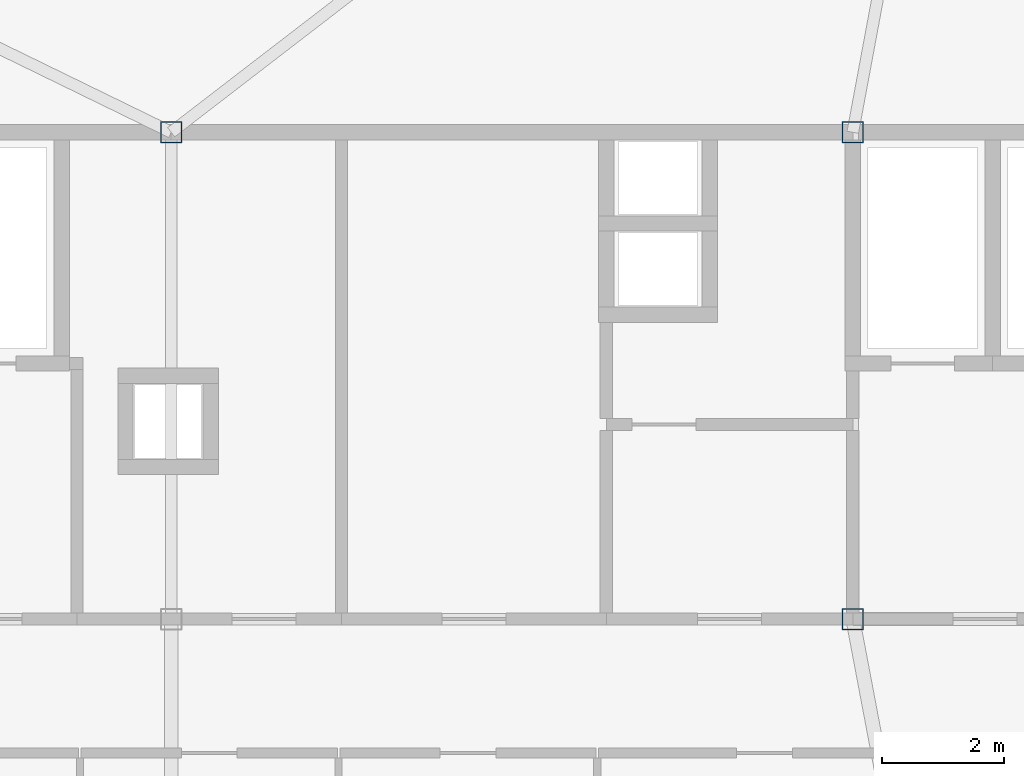
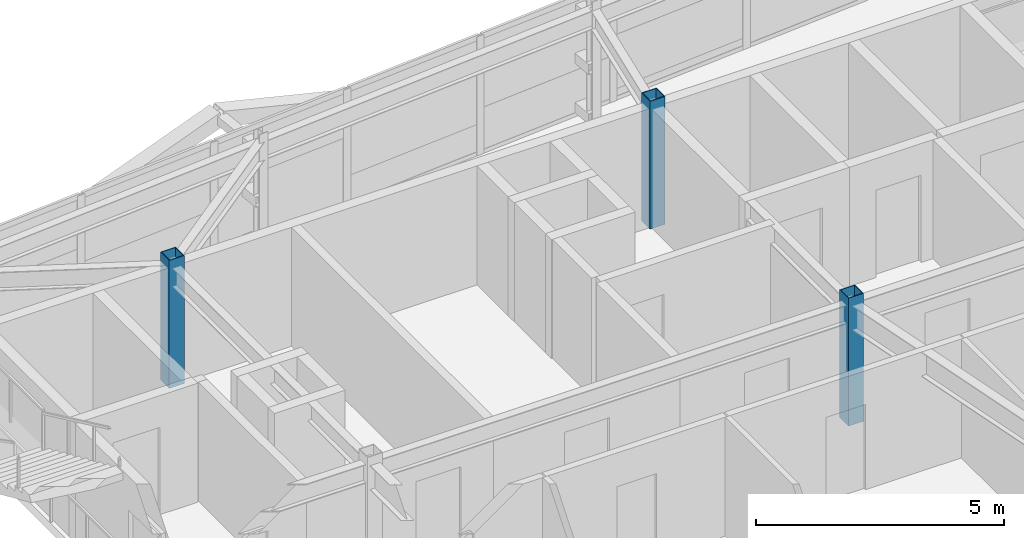
# One storey, part 3 of 46: 3 columns.
"""IFC4 building model written with IfcOpenShell, lengths in metres."""

from ifc_helpers import new_model, si_unit, direction, frame, origin, origin_2d, place, context, subcontext, project, spatial, hollow_rectangle, extrude, source, transform, mapped, material, material_profile, profile_set, type_object, element, save


model = new_model("IFC4")

# Units and contexts
model_context = context("Model", 3, precision=1e-05, world=origin(), true_north=direction((0.0, 1.0)))
body_context = subcontext(model_context, "Body", "Model", "MODEL_VIEW")
ifc_project = project(units=[si_unit("LENGTHUNIT", "METRE"), si_unit("AREAUNIT", "SQUARE_METRE"), si_unit("VOLUMEUNIT", "CUBIC_METRE"), si_unit("PLANEANGLEUNIT", "RADIAN"), si_unit("MASSUNIT", "GRAM", prefix="KILO")], contexts=[model_context])

# Site, building, storey
site_placement = place(None, origin())
site = spatial("IfcSite", under=ifc_project, at=site_placement, CompositionType="ELEMENT")
building_placement = place(site_placement, origin())
building = spatial("IfcBuilding", under=site, at=building_placement, Name="Taldren Reach Tower", CompositionType="ELEMENT")
storey_placement = place(building_placement, frame((0.0, 0.0, 194.60009765625)))
storey = spatial("IfcBuildingStorey", under=building, at=storey_placement, Name="L59", CompositionType="ELEMENT", Elevation=194.60009765625)

# Columns
ifc_material = material(Name="Steel Gr 450 (C450L0)", Category="steel")
ifc_material_profile = material_profile(ifc_material, hollow_rectangle(XDim=0.35009765625, YDim=0.35009765625, WallThickness=0.01611328125, at=origin_2d()), Name="350x350x16.0SHS")
ifc_profile_set = profile_set([ifc_material_profile], Name="Steel Gr 450 (C450L0)")
column_type = type_object("IfcColumnType", Name="COL-SHS350", PredefinedType="COLUMN", material=ifc_profile_set)
shared_shape = source(origin(), body_context, "Body", "SweptSolid", [
    extrude(hollow_rectangle(XDim=0.35009765625, YDim=0.35009765625, WallThickness=0.01611328125, at=origin_2d()), origin(), (0.0, 0.0, 1.0), 3.14990234375),
])
for number, where, z_axis, x_axis, name in (
    (1, (39.199951171875, 24.0, 0.0), (0.0, 0.0, 1.0), (1.0, 0.0, 0.0), "Mega column MC-C3 L59"),
    (2, (28.0, 32.0, 0.0), (0.0, 0.0, 1.0), (1.0, 0.0, 0.0), "Mega column MC-C6 L59"),
    (3, (39.199951171875, 32.0, 0.0), (0.0, 0.0, 1.0), (1.0, 0.0, 0.0), "Mega column MC-C7 L59"),
):
    element("IfcColumn", number, at=place(storey_placement, frame(where, z_axis=z_axis, x_axis=x_axis)), inside=storey, type_object=column_type, Name=name, PredefinedType="COLUMN", context=body_context, shape_type="MappedRepresentation", body=[
        mapped(shared_shape, transform((0.0, 0.0, 0.0), scale=1.0)),
    ])

save(model, "model.ifc")
